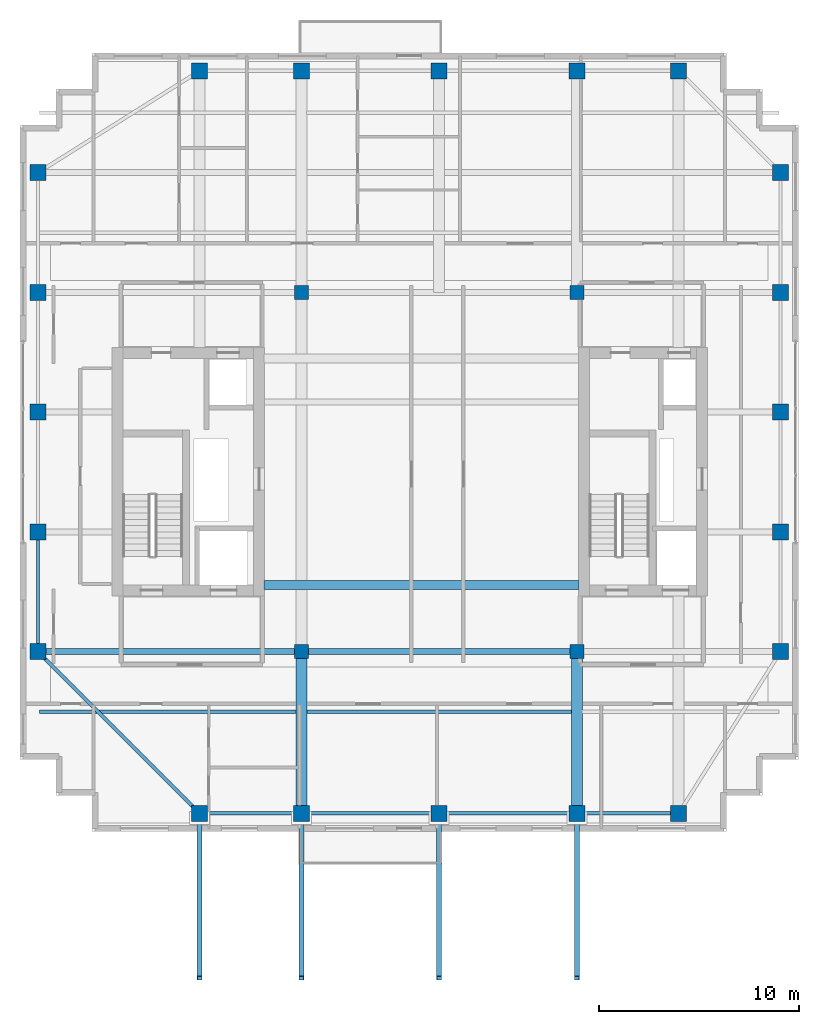
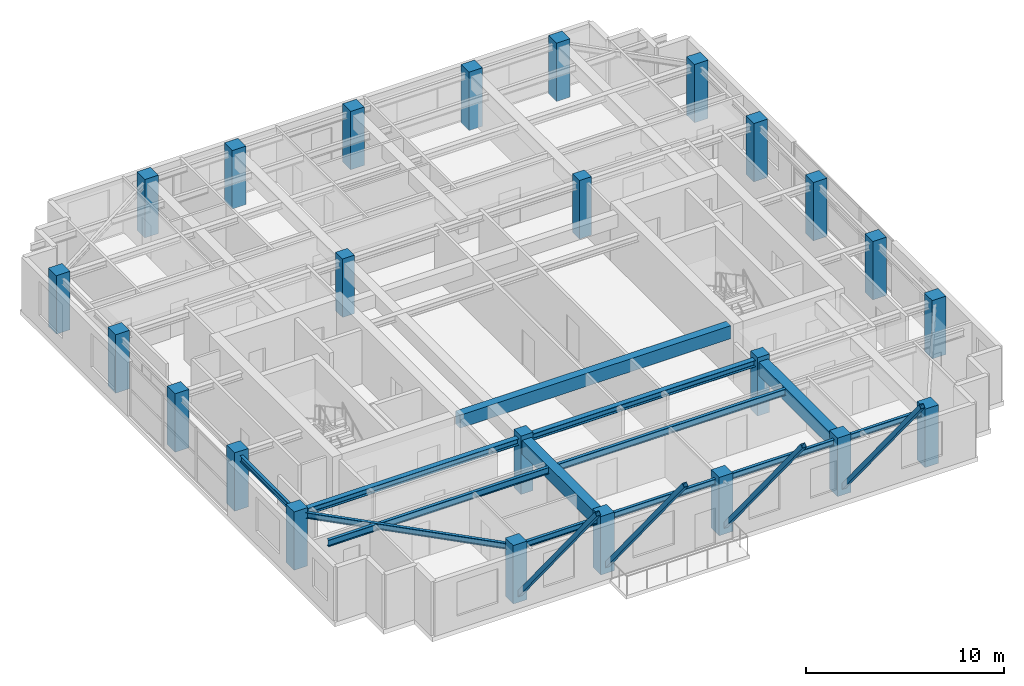
# One storey, part 1 of 14: 24 columns, 13 beams, 4 members.
"""IFC4 building model written with IfcOpenShell, lengths in metres."""

from ifc_helpers import new_model, si_unit, direction, frame, origin, origin_2d, place, context, subcontext, project, spatial, rectangle, hollow_rectangle, i_section, extrude, source, transform, mapped, material, material_profile, profile_set, type_object, element, save


model = new_model("IFC4")

# Units and contexts
model_context = context("Model", 3, precision=1e-05, world=origin(), true_north=direction((0.0, 1.0)))
body_context = subcontext(model_context, "Body", "Model", "MODEL_VIEW")
ifc_project = project(units=[si_unit("LENGTHUNIT", "METRE"), si_unit("AREAUNIT", "SQUARE_METRE"), si_unit("VOLUMEUNIT", "CUBIC_METRE"), si_unit("PLANEANGLEUNIT", "RADIAN"), si_unit("MASSUNIT", "GRAM", prefix="KILO")], contexts=[model_context])

# Site, building, storey
site_placement = place(None, origin())
site = spatial("IfcSite", under=ifc_project, at=site_placement, CompositionType="ELEMENT")
building_placement = place(site_placement, origin())
building = spatial("IfcBuilding", under=site, at=building_placement, Name="Khoralis Quay Care Tower", CompositionType="ELEMENT")
storey_placement = place(building_placement, frame((0.0, 0.0, 274.5)))
storey = spatial("IfcBuildingStorey", under=building, at=storey_placement, Name="L72", CompositionType="ELEMENT", Elevation=274.5)

# Columns
ifc_material_1 = material(Name="Concrete C50/60", Category="concrete")
ifc_material_profile_1 = material_profile(ifc_material_1, rectangle(XDim=0.800048828125, YDim=0.800048828125, at=origin_2d()), Name="Concrete C50/60")
ifc_profile_set_1 = profile_set([ifc_material_profile_1], Name="Concrete C50/60")
column_type_1 = type_object("IfcColumnType", Name="COL-C800", PredefinedType="COLUMN", material=ifc_profile_set_1)
shared_shape_1 = source(origin(), body_context, "Body", "SweptSolid", [
    extrude(rectangle(XDim=0.800048828125, YDim=0.800048828125, at=origin_2d()), origin(), (0.0, 0.0, 1.0), 3.60009765625),
])
for number, where, z_axis, x_axis, name in (
    (1, (12.0, 3.89990234375, 0.0), (0.0, 0.0, 1.0), (1.0, 0.0, 0.0), "COL-TWR-L72-01"),
    (2, (12.0, 41.10009765625, 0.0), (0.0, 0.0, 1.0), (1.0, 0.0, 0.0), "COL-TWR-L72-02"),
    (3, (17.10009765625, 3.89990234375, 0.0), (0.0, 0.0, 1.0), (1.0, 0.0, 0.0), "COL-TWR-L72-03"),
    (4, (17.10009765625, 41.10009765625, 0.0), (0.0, 0.0, 1.0), (1.0, 0.0, 0.0), "COL-TWR-L72-04"),
    (5, (24.0, 3.89990234375, 0.0), (0.0, 0.0, 1.0), (1.0, 0.0, 0.0), "COL-TWR-L72-05"),
    (6, (24.0, 41.10009765625, 0.0), (0.0, 0.0, 1.0), (1.0, 0.0, 0.0), "COL-TWR-L72-06"),
    (7, (30.89990234375, 3.89990234375, 0.0), (0.0, 0.0, 1.0), (1.0, 0.0, 0.0), "COL-TWR-L72-07"),
    (8, (30.89990234375, 41.10009765625, 0.0), (0.0, 0.0, 1.0), (1.0, 0.0, 0.0), "COL-TWR-L72-08"),
    (9, (36.0, 3.89990234375, 0.0), (0.0, 0.0, 1.0), (1.0, 0.0, 0.0), "COL-TWR-L72-09"),
    (10, (36.0, 41.10009765625, 0.0), (0.0, 0.0, 1.0), (1.0, 0.0, 0.0), "COL-TWR-L72-10"),
    (11, (3.89990234375, 12.0, 0.0), (0.0, 0.0, 1.0), (1.0, 0.0, 0.0), "COL-TWR-L72-11"),
    (12, (41.10009765625, 12.0, 0.0), (0.0, 0.0, 1.0), (1.0, 0.0, 0.0), "COL-TWR-L72-12"),
    (13, (3.89990234375, 18.0, 0.0), (0.0, 0.0, 1.0), (1.0, 0.0, 0.0), "COL-TWR-L72-13"),
    (14, (41.10009765625, 18.0, 0.0), (0.0, 0.0, 1.0), (1.0, 0.0, 0.0), "COL-TWR-L72-14"),
    (15, (3.89990234375, 24.0, 0.0), (0.0, 0.0, 1.0), (1.0, 0.0, 0.0), "COL-TWR-L72-15"),
    (16, (41.10009765625, 24.0, 0.0), (0.0, 0.0, 1.0), (1.0, 0.0, 0.0), "COL-TWR-L72-16"),
    (17, (3.89990234375, 30.0, 0.0), (0.0, 0.0, 1.0), (1.0, 0.0, 0.0), "COL-TWR-L72-17"),
    (18, (41.10009765625, 30.0, 0.0), (0.0, 0.0, 1.0), (1.0, 0.0, 0.0), "COL-TWR-L72-18"),
    (19, (3.89990234375, 36.0, 0.0), (0.0, 0.0, 1.0), (1.0, 0.0, 0.0), "COL-TWR-L72-19"),
    (20, (41.10009765625, 36.0, 0.0), (0.0, 0.0, 1.0), (1.0, 0.0, 0.0), "COL-TWR-L72-20"),
):
    element("IfcColumn", number, at=place(storey_placement, frame(where, z_axis=z_axis, x_axis=x_axis)), inside=storey, type_object=column_type_1, Name=name, PredefinedType="COLUMN", context=body_context, shape_type="MappedRepresentation", body=[
        mapped(shared_shape_1, transform((0.0, 0.0, 0.0), scale=1.0)),
    ])
ifc_material_profile_2 = material_profile(ifc_material_1, rectangle(XDim=0.699951171875, YDim=0.699951171875, at=origin_2d()), Name="Concrete C50/60")
ifc_profile_set_2 = profile_set([ifc_material_profile_2], Name="Concrete C50/60")
column_type_2 = type_object("IfcColumnType", Name="COL-C700", PredefinedType="COLUMN", material=ifc_profile_set_2)
shared_shape_2 = source(origin(), body_context, "Body", "SweptSolid", [
    extrude(rectangle(XDim=0.699951171875, YDim=0.699951171875, at=origin_2d()), origin(), (0.0, 0.0, 1.0), 3.60009765625),
])
for number, where, z_axis, x_axis, name in (
    (21, (17.10009765625, 12.0, 0.0), (0.0, 0.0, 1.0), (1.0, 0.0, 0.0), "COL-TWR-L72-21"),
    (22, (17.10009765625, 30.0, 0.0), (0.0, 0.0, 1.0), (1.0, 0.0, 0.0), "COL-TWR-L72-22"),
    (23, (30.89990234375, 12.0, 0.0), (0.0, 0.0, 1.0), (1.0, 0.0, 0.0), "COL-TWR-L72-23"),
    (24, (30.89990234375, 30.0, 0.0), (0.0, 0.0, 1.0), (1.0, 0.0, 0.0), "COL-TWR-L72-24"),
):
    element("IfcColumn", number, at=place(storey_placement, frame(where, z_axis=z_axis, x_axis=x_axis)), inside=storey, type_object=column_type_2, Name=name, PredefinedType="COLUMN", context=body_context, shape_type="MappedRepresentation", body=[
        mapped(shared_shape_2, transform((0.0, 0.0, 0.0), scale=1.0)),
    ])

# Beams
ifc_material_profile_3 = material_profile(ifc_material_1, rectangle(XDim=0.449951171875, YDim=0.800048828125, at=origin_2d()), Name="Concrete C50/60")
ifc_profile_set_3 = profile_set([ifc_material_profile_3], Name="Concrete C50/60")
beam_type_1 = type_object("IfcBeamType", Name="CB-RC450X800", PredefinedType="LINTEL", material=ifc_profile_set_3)
shared_shape_3 = source(origin(), body_context, "Body", "SweptSolid", [
    extrude(rectangle(XDim=0.449951171875, YDim=0.800048828125, at=origin_2d()), origin(), (0.0, 0.0, 1.0), 15.780029296875),
])
beam_1_placement = place(storey_placement, frame((15.219970703125, 15.35009765625, 2.919921875), z_axis=(1.0, 0.0, 0.0), x_axis=(0.0, 1.0, 0.0)))
element("IfcBeam", 25, at=beam_1_placement, inside=storey, type_object=beam_type_1, Name="L72 South Core Coupling Lintel", PredefinedType="LINTEL", context=body_context, shape_type="MappedRepresentation", body=[
    mapped(shared_shape_3, transform((0.0, 0.0, 0.0), scale=1.0)),
])
ifc_material_2 = material(Name="Steel S355", Category="steel")
ifc_material_profile_4 = material_profile(ifc_material_2, i_section(OverallWidth=0.169921875, OverallDepth=0.360107421875, WebThickness=0.008056640625, FlangeThickness=0.0126953125, FilletRadius=0.01806640625, at=origin_2d()), Name="Steel S355")
ifc_profile_set_4 = profile_set([ifc_material_profile_4], Name="Steel S355")
beam_type_2 = type_object("IfcBeamType", Name="BM-IPE360", PredefinedType="SPANDREL", material=ifc_profile_set_4)
shared_shape_4 = source(origin(), body_context, "Body", "SweptSolid", [
    extrude(i_section(OverallWidth=0.169921875, OverallDepth=0.360107421875, WebThickness=0.008056640625, FlangeThickness=0.0126953125, FilletRadius=0.01806640625, at=origin_2d()), origin(), (0.0, 0.0, 1.0), 5.10009765625),
])
for number, where, z_axis, x_axis, name in (
    (26, (12.0, 3.89990234375, 3.139892578125), (1.0, 0.0, 0.0), (0.0, 1.0, 0.0), "BM-TSP-L72-01"),
    (27, (30.89990234375, 3.89990234375, 3.139892578125), (1.0, 0.0, 0.0), (0.0, 1.0, 0.0), "BM-TSP-L72-04"),
):
    element("IfcBeam", number, at=place(storey_placement, frame(where, z_axis=z_axis, x_axis=x_axis)), inside=storey, type_object=beam_type_2, Name=name, PredefinedType="SPANDREL", context=body_context, shape_type="MappedRepresentation", body=[
        mapped(shared_shape_4, transform((0.0, 0.0, 0.0), scale=1.0)),
    ])
shared_shape_5 = source(origin(), body_context, "Body", "SweptSolid", [
    extrude(i_section(OverallWidth=0.169921875, OverallDepth=0.360107421875, WebThickness=0.008056640625, FlangeThickness=0.0126953125, FilletRadius=0.01806640625, at=origin_2d()), origin(), (0.0, 0.0, 1.0), 6.0),
])
beam_2_placement = place(storey_placement, frame((3.89990234375, 12.0, 3.139892578125), z_axis=(0.0, 1.0, 0.0), x_axis=(-1.0, 0.0, 0.0)))
element("IfcBeam", 28, at=beam_2_placement, inside=storey, type_object=beam_type_2, Name="BM-TSP-L72-09", PredefinedType="SPANDREL", context=body_context, shape_type="MappedRepresentation", body=[
    mapped(shared_shape_5, transform((0.0, 0.0, 0.0), scale=1.0)),
])
shared_shape_6 = source(origin(), body_context, "Body", "SweptSolid", [
    extrude(i_section(OverallWidth=0.169921875, OverallDepth=0.360107421875, WebThickness=0.008056640625, FlangeThickness=0.0126953125, FilletRadius=0.01806640625, at=origin_2d()), origin(), (0.0, 0.0, 1.0), 11.455322265625),
])
beam_3_placement = place(storey_placement, frame((12.0, 3.89990234375, 3.139892578125), z_axis=(-0.707106781187, 0.707106781187, 0.0), x_axis=(-0.707106781187, -0.707106781187, 0.0)))
element("IfcBeam", 29, at=beam_3_placement, inside=storey, type_object=beam_type_2, Name="BM-TCR-L72-17", PredefinedType="SPANDREL", context=body_context, shape_type="MappedRepresentation", body=[
    mapped(shared_shape_6, transform((0.0, 0.0, 0.0), scale=1.0)),
])
ifc_material_profile_5 = material_profile(ifc_material_2, i_section(OverallWidth=0.300048828125, OverallDepth=0.39990234375, WebThickness=0.013427734375, FlangeThickness=0.02392578125, FilletRadius=0.027099609375, at=origin_2d()), Name="Steel S355")
ifc_profile_set_5 = profile_set([ifc_material_profile_5], Name="Steel S355")
beam_type_3 = type_object("IfcBeamType", Name="BM-HEB400", PredefinedType="BEAM", material=ifc_profile_set_5)
shared_shape_7 = source(origin(), body_context, "Body", "SweptSolid", [
    extrude(i_section(OverallWidth=0.300048828125, OverallDepth=0.39990234375, WebThickness=0.013427734375, FlangeThickness=0.02392578125, FilletRadius=0.027099609375, at=origin_2d()), origin(), (0.0, 0.0, 1.0), 13.2001953125),
])
beam_4_placement = place(storey_placement, frame((3.89990234375, 12.0, 3.1201171875), z_axis=(1.0, 0.0, 0.0), x_axis=(0.0, 1.0, 0.0)))
element("IfcBeam", 30, at=beam_4_placement, inside=storey, type_object=beam_type_3, Name="BM-TGXW-L72-120", PredefinedType="BEAM", context=body_context, shape_type="MappedRepresentation", body=[
    mapped(shared_shape_7, transform((0.0, 0.0, 0.0), scale=1.0)),
])
ifc_material_profile_6 = material_profile(ifc_material_1, rectangle(XDim=0.550048828125, YDim=0.85009765625, at=origin_2d()), Name="Concrete C50/60")
ifc_profile_set_6 = profile_set([ifc_material_profile_6], Name="Concrete C50/60")
beam_type_4 = type_object("IfcBeamType", Name="BM-RC550X850", PredefinedType="BEAM", material=ifc_profile_set_6)
shared_shape_8 = source(origin(), body_context, "Body", "SweptSolid", [
    extrude(rectangle(XDim=0.550048828125, YDim=0.85009765625, at=origin_2d()), origin(), (0.0, 0.0, 1.0), 8.10009765625),
])
for number, where, z_axis, x_axis, name in (
    (31, (17.10009765625, 3.89990234375, 2.89501953125), (0.0, 1.0, 0.0), (-1.0, 0.0, 0.0), "BM-TGYS-L72-171"),
    (32, (30.89990234375, 3.89990234375, 2.89501953125), (0.0, 1.0, 0.0), (-1.0, 0.0, 0.0), "BM-TGYS-L72-309"),
):
    element("IfcBeam", number, at=place(storey_placement, frame(where, z_axis=z_axis, x_axis=x_axis)), inside=storey, type_object=beam_type_4, Name=name, PredefinedType="BEAM", context=body_context, shape_type="MappedRepresentation", body=[
        mapped(shared_shape_8, transform((0.0, 0.0, 0.0), scale=1.0)),
    ])
ifc_material_profile_7 = material_profile(ifc_material_2, i_section(OverallWidth=0.177978515625, OverallDepth=0.406982421875, WebThickness=0.0078125, FlangeThickness=0.0126953125, FilletRadius=0.012939453125, at=origin_2d()), Name="Steel S355")
ifc_profile_set_7 = profile_set([ifc_material_profile_7], Name="Steel S355")
beam_type_5 = type_object("IfcBeamType", Name="BM-W410X60", PredefinedType="JOIST", material=ifc_profile_set_7)
shared_shape_9 = source(origin(), body_context, "Body", "SweptSolid", [
    extrude(i_section(OverallWidth=0.177978515625, OverallDepth=0.406982421875, WebThickness=0.0078125, FlangeThickness=0.0126953125, FilletRadius=0.012939453125, at=origin_2d()), origin(), (0.0, 0.0, 1.0), 12.865966796875),
])
beam_5_placement = place(storey_placement, frame((3.970947265625, 9.0, 3.116455078125), z_axis=(1.0, 0.0, 0.0), x_axis=(0.0, 1.0, 0.0)))
element("IfcBeam", 33, at=beam_5_placement, inside=storey, type_object=beam_type_5, Name="BM-TJS-L72-21", PredefinedType="JOIST", context=body_context, shape_type="MappedRepresentation", body=[
    mapped(shared_shape_9, transform((0.0, 0.0, 0.0), scale=1.0)),
])
shared_shape_10 = source(origin(), body_context, "Body", "SweptSolid", [
    extrude(i_section(OverallWidth=0.169921875, OverallDepth=0.360107421875, WebThickness=0.008056640625, FlangeThickness=0.0126953125, FilletRadius=0.01806640625, at=origin_2d()), origin(), (0.0, 0.0, 1.0), 6.89990234375),
])
for number, where, z_axis, x_axis, name in (
    (34, (17.10009765625, 3.89990234375, 3.139892578125), (1.0, 0.0, 0.0), (0.0, 1.0, 0.0), "BM-TSP-L72-02"),
    (35, (24.0, 3.89990234375, 3.139892578125), (1.0, 0.0, 0.0), (0.0, 1.0, 0.0), "BM-TSP-L72-03"),
):
    element("IfcBeam", number, at=place(storey_placement, frame(where, z_axis=z_axis, x_axis=x_axis)), inside=storey, type_object=beam_type_2, Name=name, PredefinedType="SPANDREL", context=body_context, shape_type="MappedRepresentation", body=[
        mapped(shared_shape_10, transform((0.0, 0.0, 0.0), scale=1.0)),
    ])
shared_shape_11 = source(origin(), body_context, "Body", "SweptSolid", [
    extrude(i_section(OverallWidth=0.300048828125, OverallDepth=0.39990234375, WebThickness=0.013427734375, FlangeThickness=0.02392578125, FilletRadius=0.027099609375, at=origin_2d()), origin(), (0.0, 0.0, 1.0), 13.7998046875),
])
beam_6_placement = place(storey_placement, frame((17.10009765625, 12.0, 3.1201171875), z_axis=(1.0, 0.0, 0.0), x_axis=(0.0, 1.0, 0.0)))
element("IfcBeam", 36, at=beam_6_placement, inside=storey, type_object=beam_type_3, Name="BM-TGCC-L72-120", PredefinedType="BEAM", context=body_context, shape_type="MappedRepresentation", body=[
    mapped(shared_shape_11, transform((0.0, 0.0, 0.0), scale=1.0)),
])
shared_shape_12 = source(origin(), body_context, "Body", "SweptSolid", [
    extrude(i_section(OverallWidth=0.177978515625, OverallDepth=0.406982421875, WebThickness=0.0078125, FlangeThickness=0.0126953125, FilletRadius=0.012939453125, at=origin_2d()), origin(), (0.0, 0.0, 1.0), 13.27392578125),
])
beam_7_placement = place(storey_placement, frame((17.363037109375, 9.0, 3.116455078125), z_axis=(1.0, 0.0, 0.0), x_axis=(0.0, 1.0, 0.0)))
element("IfcBeam", 37, at=beam_7_placement, inside=storey, type_object=beam_type_5, Name="BM-TJS-L72-23", PredefinedType="JOIST", context=body_context, shape_type="MappedRepresentation", body=[
    mapped(shared_shape_12, transform((0.0, 0.0, 0.0), scale=1.0)),
])

# Members
ifc_material_profile_8 = material_profile(ifc_material_2, hollow_rectangle(XDim=0.25, YDim=0.25, WallThickness=0.012451171875, at=origin_2d()), Name="Steel S355")
ifc_profile_set_8 = profile_set([ifc_material_profile_8], Name="Steel S355")
member_type = type_object("IfcMemberType", Name="BR-RHS250X250X12", PredefinedType="BRACE", material=ifc_profile_set_8)
shared_shape_13 = source(origin(), body_context, "Body", "SweptSolid", [
    extrude(hollow_rectangle(XDim=0.25, YDim=0.25, WallThickness=0.012451171875, at=origin_2d()), origin(), (0.0, 0.0, 1.0), 12.695556640625),
])
for number, where, z_axis, x_axis, name in (
    (38, (12.0, 3.659912109375, 0.35009765625), (0.0, -0.630924865801, 0.775843936442), (1.0, 0.0, 0.0), "L72 Sky Pool Raking Mega-Strut 1B"),
    (39, (17.10009765625, 3.659912109375, 0.35009765625), (0.0, -0.630924865801, 0.775843936442), (1.0, 0.0, 0.0), "L72 Sky Pool Raking Mega-Strut 2B"),
    (40, (24.0, 3.659912109375, 0.35009765625), (0.0, -0.630924865801, 0.775843936442), (1.0, 0.0, 0.0), "L72 Sky Pool Raking Mega-Strut 3B"),
    (41, (30.89990234375, 3.659912109375, 0.35009765625), (0.0, -0.630924865801, 0.775843936442), (1.0, 0.0, 0.0), "L72 Sky Pool Raking Mega-Strut 4B"),
):
    element("IfcMember", number, at=place(storey_placement, frame(where, z_axis=z_axis, x_axis=x_axis)), inside=storey, type_object=member_type, Name=name, PredefinedType="BRACE", context=body_context, shape_type="MappedRepresentation", body=[
        mapped(shared_shape_13, transform((0.0, 0.0, 0.0), scale=1.0)),
    ])

save(model, "model.ifc")
